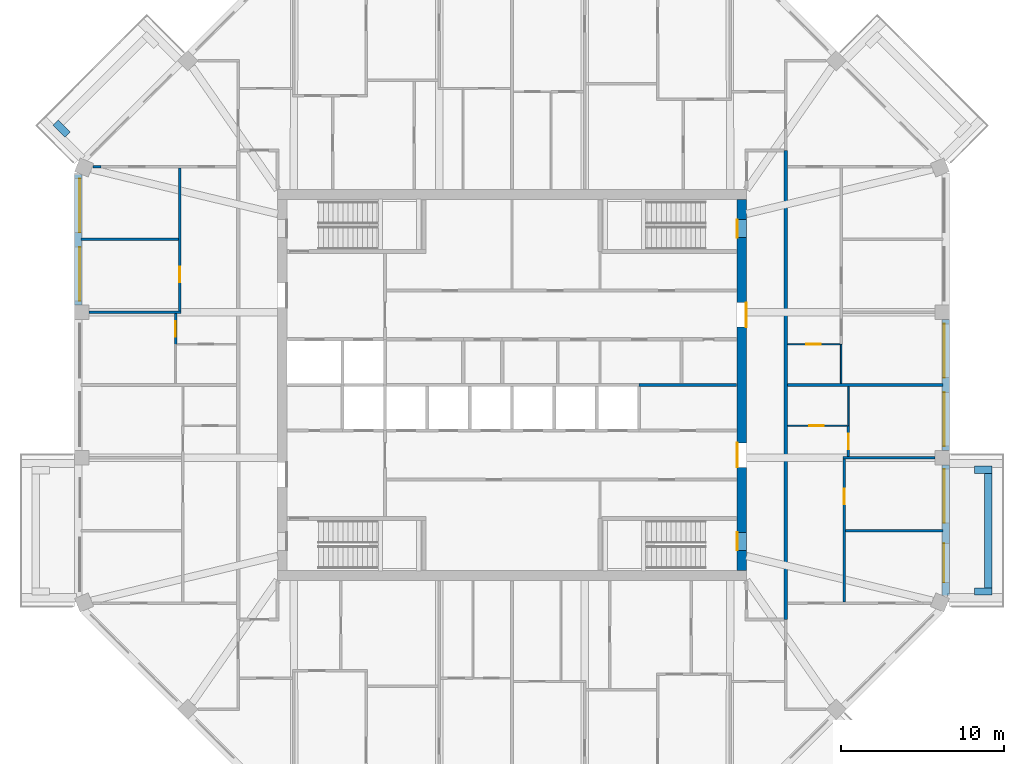
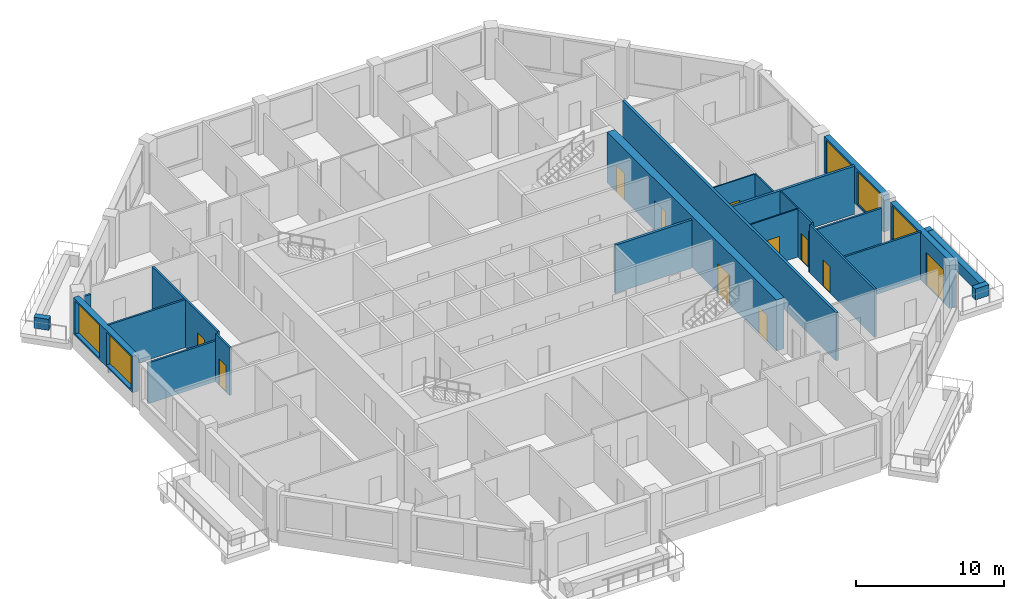
# One storey, part 6 of 11: 24 walls, 11 doors, 5 windows, 16 openings.
"""IFC4 building model written with IfcOpenShell, lengths in metres."""

from ifc_helpers import new_model, si_unit, direction, frame, frame_2d, origin, place, context, subcontext, project, spatial, rectangle, extrude, material, layer, layer_set, type_object, element, fill, save


model = new_model("IFC4")

# Units and contexts
model_context = context("Model", 3, precision=1e-05, world=origin(), true_north=direction((0.0, 1.0)))
body_context = subcontext(model_context, "Body", "Model", "MODEL_VIEW")
ifc_project = project(units=[si_unit("LENGTHUNIT", "METRE"), si_unit("AREAUNIT", "SQUARE_METRE"), si_unit("VOLUMEUNIT", "CUBIC_METRE"), si_unit("PLANEANGLEUNIT", "RADIAN"), si_unit("MASSUNIT", "GRAM", prefix="KILO")], contexts=[model_context])

# Site, building, storey
site_placement = place(None, origin())
site = spatial("IfcSite", under=ifc_project, at=site_placement, CompositionType="ELEMENT")
building_placement = place(site_placement, origin())
building = spatial("IfcBuilding", under=site, at=building_placement, Name="Msitu Wima Residences", CompositionType="ELEMENT")
storey_placement = place(building_placement, frame((0.0, 0.0, 226.5)))
storey = spatial("IfcBuildingStorey", under=building, at=storey_placement, Name="L52", CompositionType="ELEMENT", Elevation=226.5)

# Walls
ifc_material_1 = material(Name="Facing brick")
ifc_layer_1 = layer(ifc_material_1, 0.06494140625, Name="Facing brick")
ifc_material_2 = material(Name="Concrete C40/50", Category="concrete")
ifc_layer_2 = layer(ifc_material_2, 0.156005859375, Name="Concrete C40/50")
ifc_material_3 = material(Name="Waterproofing membrane")
ifc_layer_3 = layer(ifc_material_3, 0.00390625, Name="Waterproofing membrane")
ifc_material_4 = material(Name="Planting soil and planting")
ifc_layer_4 = layer(ifc_material_4, 0.22509765625, Name="Planting soil and planting")
ifc_layer_set_1 = layer_set([ifc_layer_1, ifc_layer_2, ifc_layer_3, ifc_layer_4], Name="Concrete C40/50")
wall_type_1 = type_object("IfcWallType", Name="Balcony planter PLANTER PL450", PredefinedType="USERDEFINED", material=ifc_layer_set_1)
wall_1_placement = place(storey_placement, frame((29.22509765625, -12.455810546875, 0.0), z_axis=(0.0, 0.0, 1.0), x_axis=(0.0, 1.0, 0.0)))
element("IfcWall", 1, at=wall_1_placement, inside=storey, type_object=wall_type_1, Name="Balcony planter E0 L52", ObjectType="PLANTER", PredefinedType="USERDEFINED", context=body_context, shape_type="SweptSolid", body=[
    extrude(rectangle(XDim=7.037109375, YDim=0.449951171875, at=frame_2d((3.5185546875, 0.0))), origin(), (0.0, 0.0, 1.0), 0.89990234375),
])
for number, where, z_axis, x_axis, name in (
    (2, (28.39990234375, -12.680908203125, 0.0), (0.0, 0.0, 1.0), (1.0, 0.0, 0.0), "Balcony planter E0 L52"),
    (3, (28.39990234375, -5.193603515625, 0.0), (0.0, 0.0, 1.0), (1.0, 0.0, 0.0), "Balcony planter E0 L52"),
    (4, (-27.26611328125, 15.3681640625, 0.0), (0.0, 0.0, 1.0), (-0.707223014731, 0.706990528533, 0.0), "Balcony planter NW1 L52"),
):
    element("IfcWall", number, at=place(storey_placement, frame(where, z_axis=z_axis, x_axis=x_axis)), inside=storey, type_object=wall_type_1, Name=name, ObjectType="PLANTER", PredefinedType="USERDEFINED", context=body_context, shape_type="SweptSolid", body=[
        extrude(rectangle(XDim=1.050048828125, YDim=0.449951171875, at=frame_2d((0.52490234375, 0.0))), origin(), (0.0, 0.0, 1.0), 0.89990234375),
    ])

# Wall, openings, door, window
ifc_material_5 = material(Name="Brick (red buff mix)", Category="masonry")
ifc_layer_5 = layer(ifc_material_5, 0.449951171875)
ifc_layer_set_2 = layer_set([ifc_layer_5], Name="Brick (red buff mix)")
wall_type_2 = type_object("IfcWallType", Name="Brick infill wall BW450", PredefinedType="SOLIDWALL", material=ifc_layer_set_2)
wall_2_placement = place(storey_placement, frame((26.625, -12.918701171875, 0.0), z_axis=(0.0, 0.0, 1.0), x_axis=(0.0, 1.0, 0.0)))
wall_2 = element("IfcWall", 5, at=wall_2_placement, inside=storey, type_object=wall_type_2, Name="Brick infill wall L52 E0", PredefinedType="SOLIDWALL", context=body_context, shape_type="SweptSolid", body=[
    extrude(rectangle(XDim=8.0, YDim=0.449951171875, at=frame_2d((4.0, 0.0))), origin(), (0.0, 0.0, 1.0), 3.89990234375),
])
opening_1_placement = place(wall_2_placement, frame((0.800048828125, 0.0, 0.0)))
opening_1 = element("IfcOpeningElement", 6, at=opening_1_placement, cuts=wall_2, Name="Opening D52-54.001", PredefinedType="OPENING", context=body_context, shape_type="SweptSolid", body=[
    extrude(rectangle(XDim=2.39990234375, YDim=2.699951171875, at=frame_2d((1.199951171875, 1.35009765625))), frame((0.0, 0.23486328125, 0.0), z_axis=(0.0, -1.0, 0.0), x_axis=(1.0, 0.0, 0.0)), (0.0, 0.0, 1.0), 0.469970703125),
])
opening_2_placement = place(wall_2_placement, frame((4.4501953125, 0.0, 1.050048828125)))
opening_2 = element("IfcOpeningElement", 7, at=opening_2_placement, cuts=wall_2, Name="Opening W52-54.001", PredefinedType="OPENING", context=body_context, shape_type="SweptSolid", body=[
    extrude(rectangle(XDim=3.300048828125, YDim=2.699951171875, at=frame_2d((1.64990234375, 1.35009765625))), frame((0.0, 0.23486328125, 0.0), z_axis=(0.0, -1.0, 0.0), x_axis=(1.0, 0.0, 0.0)), (0.0, 0.0, 1.0), 0.469970703125),
])
ifc_material_6 = material(Name="Anodised aluminium, bronze finish, clear low-emissivity double glazing", Category="aluminium")
door_type_1 = type_object("IfcDoorType", Name="Balcony door D2400x2700", OperationType="SLIDING_TO_LEFT", PredefinedType="DOOR", material=ifc_material_6)
door_1_placement = place(opening_1_placement, origin())
door_1 = element("IfcDoor", 8, at=door_1_placement, inside=storey, type_object=door_type_1, Name="Balcony door L52 E0", OperationType="SINGLE_SWING_LEFT", OverallHeight=2.699951171875, OverallWidth=2.39990234375, PredefinedType="DOOR", context=body_context, shape_type="SweptSolid", body=[
    extrude(rectangle(XDim=2.39990234375, YDim=2.699951171875, at=frame_2d((1.199951171875, 1.35009765625))), frame((0.0, 0.1298828125, 0.0), z_axis=(0.0, -1.0, 0.0), x_axis=(1.0, 0.0, 0.0)), (0.0, 0.0, 1.0), 0.050048828125),
])
fill(opening_1, door_1)
window_type = type_object("IfcWindowType", Name="Window W3300x2700", PartitioningType="DOUBLE_PANEL_VERTICAL", PredefinedType="WINDOW", material=ifc_material_6)
window_1_placement = place(opening_2_placement, origin())
window_1 = element("IfcWindow", 9, at=window_1_placement, inside=storey, type_object=window_type, Name="Window L52 E0.2", OverallHeight=2.699951171875, OverallWidth=3.300048828125, PartitioningType="SINGLE_PANEL", PredefinedType="WINDOW", context=body_context, shape_type="SweptSolid", body=[
    extrude(rectangle(XDim=3.300048828125, YDim=2.699951171875, at=frame_2d((1.64990234375, 1.35009765625))), frame((0.0, 0.135009765625, 0.0), z_axis=(0.0, -1.0, 0.0), x_axis=(1.0, 0.0, 0.0)), (0.0, 0.0, 1.0), 0.06005859375),
])
fill(opening_2, window_1)

# Wall, openings, windows
wall_3_placement = place(storey_placement, frame((26.625, -4.0185546875, 0.89990234375), z_axis=(0.0, 0.0, 1.0), x_axis=(0.0, 1.0, 0.0)))
wall_3 = element("IfcWall", 10, at=wall_3_placement, inside=storey, type_object=wall_type_2, Name="Brick infill wall L52 E1", PredefinedType="SOLIDWALL", context=body_context, shape_type="SweptSolid", body=[
    extrude(rectangle(XDim=8.037109375, YDim=0.449951171875, at=frame_2d((4.0185546875, 0.0))), origin(), (0.0, 0.0, 1.0), 3.0),
])
opening_3_placement = place(wall_3_placement, frame((0.2685546875, 0.0, 0.14990234375)))
opening_3 = element("IfcOpeningElement", 11, at=opening_3_placement, cuts=wall_3, Name="Opening W52-54.002", PredefinedType="OPENING", context=body_context, shape_type="SweptSolid", body=[
    extrude(rectangle(XDim=3.300048828125, YDim=2.699951171875, at=frame_2d((1.64990234375, 1.35009765625))), frame((0.0, 0.23486328125, 0.0), z_axis=(0.0, -1.0, 0.0), x_axis=(1.0, 0.0, 0.0)), (0.0, 0.0, 1.0), 0.469970703125),
])
opening_4_placement = place(wall_3_placement, frame((4.46875, 0.0, 0.14990234375)))
opening_4 = element("IfcOpeningElement", 12, at=opening_4_placement, cuts=wall_3, Name="Opening W52-54.003", PredefinedType="OPENING", context=body_context, shape_type="SweptSolid", body=[
    extrude(rectangle(XDim=3.300048828125, YDim=2.699951171875, at=frame_2d((1.64990234375, 1.35009765625))), frame((0.0, 0.23486328125, 0.0), z_axis=(0.0, -1.0, 0.0), x_axis=(1.0, 0.0, 0.0)), (0.0, 0.0, 1.0), 0.469970703125),
])
window_2_placement = place(opening_3_placement, origin())
window_2 = element("IfcWindow", 13, at=window_2_placement, inside=storey, type_object=window_type, Name="Window L52 E1.1", OverallHeight=2.699951171875, OverallWidth=3.300048828125, PartitioningType="SINGLE_PANEL", PredefinedType="WINDOW", context=body_context, shape_type="SweptSolid", body=[
    extrude(rectangle(XDim=3.300048828125, YDim=2.699951171875, at=frame_2d((1.64990234375, 1.35009765625))), frame((0.0, 0.135009765625, 0.0), z_axis=(0.0, -1.0, 0.0), x_axis=(1.0, 0.0, 0.0)), (0.0, 0.0, 1.0), 0.06005859375),
])
fill(opening_3, window_2)
window_3_placement = place(opening_4_placement, origin())
window_3 = element("IfcWindow", 14, at=window_3_placement, inside=storey, type_object=window_type, Name="Window L52 E1.2", OverallHeight=2.699951171875, OverallWidth=3.300048828125, PartitioningType="SINGLE_PANEL", PredefinedType="WINDOW", context=body_context, shape_type="SweptSolid", body=[
    extrude(rectangle(XDim=3.300048828125, YDim=2.699951171875, at=frame_2d((1.64990234375, 1.35009765625))), frame((0.0, 0.135009765625, 0.0), z_axis=(0.0, -1.0, 0.0), x_axis=(1.0, 0.0, 0.0)), (0.0, 0.0, 1.0), 0.06005859375),
])
fill(opening_4, window_3)

wall_4_placement = place(storey_placement, frame((-26.625, 12.918701171875, 0.89990234375), z_axis=(0.0, 0.0, 1.0), x_axis=(0.0, -1.0, 0.0)))
wall_4 = element("IfcWall", 15, at=wall_4_placement, inside=storey, type_object=wall_type_2, Name="Brick infill wall L52 W0", PredefinedType="SOLIDWALL", context=body_context, shape_type="SweptSolid", body=[
    extrude(rectangle(XDim=8.0, YDim=0.449951171875, at=frame_2d((4.0, 0.0))), origin(), (0.0, 0.0, 1.0), 3.0),
])
opening_5_placement = place(wall_4_placement, frame((0.25, 0.0, 0.14990234375)))
opening_5 = element("IfcOpeningElement", 16, at=opening_5_placement, cuts=wall_4, Name="Opening W52-54.029", PredefinedType="OPENING", context=body_context, shape_type="SweptSolid", body=[
    extrude(rectangle(XDim=3.300048828125, YDim=2.699951171875, at=frame_2d((1.64990234375, 1.35009765625))), frame((0.0, 0.23486328125, 0.0), z_axis=(0.0, -1.0, 0.0), x_axis=(1.0, 0.0, 0.0)), (0.0, 0.0, 1.0), 0.469970703125),
])
opening_6_placement = place(wall_4_placement, frame((4.4501953125, 0.0, 0.14990234375)))
opening_6 = element("IfcOpeningElement", 17, at=opening_6_placement, cuts=wall_4, Name="Opening W52-54.030", PredefinedType="OPENING", context=body_context, shape_type="SweptSolid", body=[
    extrude(rectangle(XDim=3.300048828125, YDim=2.699951171875, at=frame_2d((1.64990234375, 1.35009765625))), frame((0.0, 0.23486328125, 0.0), z_axis=(0.0, -1.0, 0.0), x_axis=(1.0, 0.0, 0.0)), (0.0, 0.0, 1.0), 0.469970703125),
])
window_4_placement = place(opening_5_placement, origin())
window_4 = element("IfcWindow", 18, at=window_4_placement, inside=storey, type_object=window_type, Name="Window L52 W0.1", OverallHeight=2.699951171875, OverallWidth=3.300048828125, PartitioningType="SINGLE_PANEL", PredefinedType="WINDOW", context=body_context, shape_type="SweptSolid", body=[
    extrude(rectangle(XDim=3.300048828125, YDim=2.699951171875, at=frame_2d((1.64990234375, 1.35009765625))), frame((0.0, 0.135009765625, 0.0), z_axis=(0.0, -1.0, 0.0), x_axis=(1.0, 0.0, 0.0)), (0.0, 0.0, 1.0), 0.06005859375),
])
fill(opening_5, window_4)
window_5_placement = place(opening_6_placement, origin())
window_5 = element("IfcWindow", 19, at=window_5_placement, inside=storey, type_object=window_type, Name="Window L52 W0.2", OverallHeight=2.699951171875, OverallWidth=3.300048828125, PartitioningType="SINGLE_PANEL", PredefinedType="WINDOW", context=body_context, shape_type="SweptSolid", body=[
    extrude(rectangle(XDim=3.300048828125, YDim=2.699951171875, at=frame_2d((1.64990234375, 1.35009765625))), frame((0.0, 0.135009765625, 0.0), z_axis=(0.0, -1.0, 0.0), x_axis=(1.0, 0.0, 0.0)), (0.0, 0.0, 1.0), 0.06005859375),
])
fill(opening_6, window_5)

# Wall, openings, doors
ifc_material_7 = material(Name="Concrete C50/60", Category="concrete")
ifc_layer_6 = layer(ifc_material_7, 0.60009765625)
ifc_layer_set_3 = layer_set([ifc_layer_6], Name="Concrete C50/60")
wall_type_3 = type_object("IfcWallType", Name="Core wall CW600 C50/60", PredefinedType="SHEAR", material=ifc_layer_set_3)
wall_5_placement = place(storey_placement, frame((14.10009765625, -11.39990234375, 0.0), z_axis=(0.0, 0.0, 1.0), x_axis=(0.0, 1.0, 0.0)))
wall_5 = element("IfcWall", 20, at=wall_5_placement, inside=storey, type_object=wall_type_3, Name="Core wall", PredefinedType="SHEAR", context=body_context, shape_type="SweptSolid", body=[
    extrude(rectangle(XDim=22.7998046875, YDim=0.60009765625, at=frame_2d((11.39990234375, 0.0))), origin(), (0.0, 0.0, 1.0), 4.199951171875),
])
opening_7_placement = place(wall_5_placement, frame((20.449951171875, 0.0, 0.0)))
opening_7 = element("IfcOpeningElement", 21, at=opening_7_placement, cuts=wall_5, Name="Opening D52-54.089", PredefinedType="OPENING", context=body_context, shape_type="SweptSolid", body=[
    extrude(rectangle(XDim=1.10009765625, YDim=2.199951171875, at=frame_2d((0.550048828125, 1.10009765625))), frame((0.0, 0.31005859375, 0.0), z_axis=(0.0, -1.0, 0.0), x_axis=(1.0, 0.0, 0.0)), (0.0, 0.0, 1.0), 0.6201171875),
])
opening_8_placement = place(wall_5_placement, frame((1.25, 0.0, 0.0)))
opening_8 = element("IfcOpeningElement", 22, at=opening_8_placement, cuts=wall_5, Name="Opening D52-54.090", PredefinedType="OPENING", context=body_context, shape_type="SweptSolid", body=[
    extrude(rectangle(XDim=1.10009765625, YDim=2.199951171875, at=frame_2d((0.550048828125, 1.10009765625))), frame((0.0, 0.31005859375, 0.0), z_axis=(0.0, -1.0, 0.0), x_axis=(1.0, 0.0, 0.0)), (0.0, 0.0, 1.0), 0.6201171875),
])
opening_9_placement = place(wall_5_placement, frame((14.949951171875, 0.0, 0.0)))
opening_9 = element("IfcOpeningElement", 23, at=opening_9_placement, cuts=wall_5, Name="Opening D52-54.076", PredefinedType="OPENING", context=body_context, shape_type="SweptSolid", body=[
    extrude(rectangle(XDim=1.5, YDim=2.39990234375, at=frame_2d((0.75, 1.199951171875))), frame((0.0, 0.31005859375, 0.0), z_axis=(0.0, -1.0, 0.0), x_axis=(1.0, 0.0, 0.0)), (0.0, 0.0, 1.0), 0.6201171875),
])
opening_10_placement = place(wall_5_placement, frame((6.35009765625, 0.0, 0.0)))
opening_10 = element("IfcOpeningElement", 24, at=opening_10_placement, cuts=wall_5, Name="Opening D52-54.077", PredefinedType="OPENING", context=body_context, shape_type="SweptSolid", body=[
    extrude(rectangle(XDim=1.5, YDim=2.39990234375, at=frame_2d((0.75, 1.199951171875))), frame((0.0, 0.31005859375, 0.0), z_axis=(0.0, -1.0, 0.0), x_axis=(1.0, 0.0, 0.0)), (0.0, 0.0, 1.0), 0.6201171875),
])
ifc_material_8 = material(Name="Steel framed glazed door, fire resisting", Category="steel")
door_type_2 = type_object("IfcDoorType", Name="Lobby door D07 1500x2400", OperationType="DOUBLE_DOOR_SINGLE_SWING", PredefinedType="DOOR", material=ifc_material_8)
door_2_placement = place(opening_9_placement, origin())
door_2 = element("IfcDoor", 25, at=door_2_placement, inside=storey, type_object=door_type_2, Name="Lobby door", OperationType="DOUBLE_DOOR_SINGLE_SWING", OverallHeight=2.39990234375, OverallWidth=1.5, PredefinedType="DOOR", context=body_context, shape_type="SweptSolid", body=[
    extrude(rectangle(XDim=1.5, YDim=2.39990234375, at=frame_2d((0.75, 1.199951171875))), frame((0.0, -0.2451171875, 0.0), z_axis=(0.0, -1.0, 0.0), x_axis=(1.0, 0.0, 0.0)), (0.0, 0.0, 1.0), 0.050048828125),
])
fill(opening_9, door_2)
door_3_placement = place(opening_10_placement, origin())
door_3 = element("IfcDoor", 26, at=door_3_placement, inside=storey, type_object=door_type_2, Name="Lobby door", OperationType="DOUBLE_DOOR_SINGLE_SWING", OverallHeight=2.39990234375, OverallWidth=1.5, PredefinedType="DOOR", context=body_context, shape_type="SweptSolid", body=[
    extrude(rectangle(XDim=1.5, YDim=2.39990234375, at=frame_2d((0.75, 1.199951171875))), frame((0.0, 0.294921875, 0.0), z_axis=(0.0, -1.0, 0.0), x_axis=(1.0, 0.0, 0.0)), (0.0, 0.0, 1.0), 0.050048828125),
])
fill(opening_10, door_3)
ifc_material_9 = material(Name="Steel door, fire resisting, panic bar", Category="steel")
door_type_3 = type_object("IfcDoorType", Name="Stair door D06 1100x2200", OperationType="SINGLE_SWING_LEFT", PredefinedType="DOOR", material=ifc_material_9)
door_4_placement = place(opening_7_placement, origin())
door_4 = element("IfcDoor", 27, at=door_4_placement, inside=storey, type_object=door_type_3, Name="Stair door", OperationType="SINGLE_SWING_LEFT", OverallHeight=2.199951171875, OverallWidth=1.10009765625, PredefinedType="DOOR", context=body_context, shape_type="SweptSolid", body=[
    extrude(rectangle(XDim=1.10009765625, YDim=2.199951171875, at=frame_2d((0.550048828125, 1.10009765625))), frame((0.0, 0.294921875, 0.0), z_axis=(0.0, -1.0, 0.0), x_axis=(1.0, 0.0, 0.0)), (0.0, 0.0, 1.0), 0.050048828125),
])
fill(opening_7, door_4)
door_5_placement = place(opening_8_placement, origin())
door_5 = element("IfcDoor", 28, at=door_5_placement, inside=storey, type_object=door_type_3, Name="Stair door", OperationType="SINGLE_SWING_RIGHT", OverallHeight=2.199951171875, OverallWidth=1.10009765625, PredefinedType="DOOR", context=body_context, shape_type="SweptSolid", body=[
    extrude(rectangle(XDim=1.10009765625, YDim=2.199951171875, at=frame_2d((0.550048828125, 1.10009765625))), frame((0.0, 0.294921875, 0.0), z_axis=(0.0, -1.0, 0.0), x_axis=(1.0, 0.0, 0.0)), (0.0, 0.0, 1.0), 0.050048828125),
])
fill(opening_8, door_5)

# Walls
ifc_material_10 = material(Name="Plaster")
ifc_layer_7 = layer(ifc_material_10, 0.011962890625, Name="Plaster")
ifc_material_11 = material(Name="Concrete blockwork", Category="masonry")
ifc_layer_8 = layer(ifc_material_11, 0.176025390625, Name="Concrete blockwork")
ifc_layer_9 = layer(ifc_material_10, 0.011962890625, Name="Plaster")
ifc_layer_set_4 = layer_set([ifc_layer_7, ifc_layer_8, ifc_layer_9], Name="Concrete blockwork")
wall_type_4 = type_object("IfcWallType", Name="Corridor wall FW200", PredefinedType="PARTITIONING", material=ifc_layer_set_4)
wall_6_placement = place(storey_placement, frame((16.800048828125, -14.39990234375, 0.0), z_axis=(0.0, 0.0, 1.0), x_axis=(0.0, 1.0, 0.0)))
element("IfcWall", 29, at=wall_6_placement, inside=storey, type_object=wall_type_4, Name="Corridor wall", PredefinedType="PARTITIONING", context=body_context, shape_type="SweptSolid", body=[
    extrude(rectangle(XDim=28.7998046875, YDim=0.199951171875, at=frame_2d((14.39990234375, 0.0))), origin(), (0.0, 0.0, 1.0), 3.949951171875),
])
ifc_layer_10 = layer(ifc_material_10, 0.011962890625, Name="Plaster")
ifc_layer_11 = layer(ifc_material_11, 0.1259765625, Name="Concrete blockwork")
ifc_layer_12 = layer(ifc_material_10, 0.011962890625, Name="Plaster")
ifc_layer_set_5 = layer_set([ifc_layer_10, ifc_layer_11, ifc_layer_12], Name="Concrete blockwork")
wall_type_5 = type_object("IfcWallType", Name="Partition PW150", PredefinedType="PARTITIONING", material=ifc_layer_set_5)
wall_7_placement = place(storey_placement, frame((-25.949951171875, 4.46875, 0.0), z_axis=(0.0, 0.0, 1.0), x_axis=(1.0, 0.0, 0.0)))
element("IfcWall", 30, at=wall_7_placement, inside=storey, type_object=wall_type_5, Name="Partition", PredefinedType="PARTITIONING", context=body_context, shape_type="SweptSolid", body=[
    extrude(rectangle(XDim=5.625, YDim=0.14990234375, at=frame_2d((2.8125, 0.0))), origin(), (0.0, 0.0, 1.0), 3.35009765625),
])
wall_8_placement = place(storey_placement, frame((-26.455078125, 8.937255859375, 0.0), z_axis=(0.0, 0.0, 1.0), x_axis=(1.0, 0.0, 0.0)))
element("IfcWall", 31, at=wall_8_placement, inside=storey, type_object=wall_type_5, Name="Partition", PredefinedType="PARTITIONING", context=body_context, shape_type="SweptSolid", body=[
    extrude(rectangle(XDim=5.97998046875, YDim=0.14990234375, at=frame_2d((2.989990234375, 0.0))), origin(), (0.0, 0.0, 1.0), 3.949951171875),
])
wall_9_placement = place(storey_placement, frame((-25.731201171875, 13.406005859375, 0.0), z_axis=(0.0, 0.0, 1.0), x_axis=(1.0, 0.0, 0.0)))
element("IfcWall", 32, at=wall_9_placement, inside=storey, type_object=wall_type_5, Name="Partition", PredefinedType="PARTITIONING", context=body_context, shape_type="SweptSolid", body=[
    extrude(rectangle(XDim=0.507080078125, YDim=0.14990234375, at=frame_2d((0.25341796875, 0.0))), origin(), (0.0, 0.0, 1.0), 3.35009765625),
])

# Wall, opening, door
wall_10_placement = place(storey_placement, frame((-20.64990234375, 2.5, 0.0), z_axis=(0.0, 0.0, 1.0), x_axis=(0.0, 1.0, 0.0)))
wall_10 = element("IfcWall", 33, at=wall_10_placement, inside=storey, type_object=wall_type_5, Name="Partition", PredefinedType="PARTITIONING", context=body_context, shape_type="SweptSolid", body=[
    extrude(rectangle(XDim=1.8935546875, YDim=0.14990234375, at=frame_2d((0.94677734375, 0.0))), origin(), (0.0, 0.0, 1.0), 3.949951171875),
])
opening_11_placement = place(wall_10_placement, frame((0.449951171875, 0.0, 0.0)))
opening_11 = element("IfcOpeningElement", 34, at=opening_11_placement, cuts=wall_10, Name="Opening D52-54.035", PredefinedType="OPENING", context=body_context, shape_type="SweptSolid", body=[
    extrude(rectangle(XDim=0.949951171875, YDim=2.199951171875, at=frame_2d((0.47509765625, 1.10009765625))), frame((0.0, 0.0849609375, 0.0), z_axis=(0.0, -1.0, 0.0), x_axis=(1.0, 0.0, 0.0)), (0.0, 0.0, 1.0), 0.169921875),
])
ifc_material_12 = material(Name="Timber flush door", Category="wood")
door_type_4 = type_object("IfcDoorType", Name="Room door D12 950x2200", OperationType="SINGLE_SWING_LEFT", PredefinedType="DOOR", material=ifc_material_12)
door_6_placement = place(opening_11_placement, origin())
door_6 = element("IfcDoor", 35, at=door_6_placement, inside=storey, type_object=door_type_4, Name="Room door", OperationType="SINGLE_SWING_RIGHT", OverallHeight=2.199951171875, OverallWidth=0.949951171875, PredefinedType="DOOR", context=body_context, shape_type="SweptSolid", body=[
    extrude(rectangle(XDim=0.949951171875, YDim=2.199951171875, at=frame_2d((0.47509765625, 1.10009765625))), frame((0.0, 0.02490234375, 0.0), z_axis=(0.0, -1.0, 0.0), x_axis=(1.0, 0.0, 0.0)), (0.0, 0.0, 1.0), 0.050048828125),
])
fill(opening_11, door_6)

wall_11_placement = place(storey_placement, frame((-20.39990234375, 4.543701171875, 0.0), z_axis=(0.0, 0.0, 1.0), x_axis=(0.0, 1.0, 0.0)))
wall_11 = element("IfcWall", 36, at=wall_11_placement, inside=storey, type_object=wall_type_5, Name="Partition", PredefinedType="PARTITIONING", context=body_context, shape_type="SweptSolid", body=[
    extrude(rectangle(XDim=8.787109375, YDim=0.14990234375, at=frame_2d((4.3935546875, 0.0))), origin(), (0.0, 0.0, 1.0), 3.949951171875),
])
opening_12_placement = place(wall_11_placement, frame((1.75, 0.0, 0.0)))
opening_12 = element("IfcOpeningElement", 37, at=opening_12_placement, cuts=wall_11, Name="Opening D52-54.036", PredefinedType="OPENING", context=body_context, shape_type="SweptSolid", body=[
    extrude(rectangle(XDim=0.949951171875, YDim=2.199951171875, at=frame_2d((0.47509765625, 1.10009765625))), frame((0.0, 0.0849609375, 0.0), z_axis=(0.0, -1.0, 0.0), x_axis=(1.0, 0.0, 0.0)), (0.0, 0.0, 1.0), 0.169921875),
])
door_7_placement = place(opening_12_placement, origin())
door_7 = element("IfcDoor", 38, at=door_7_placement, inside=storey, type_object=door_type_4, Name="Room door", OperationType="SINGLE_SWING_RIGHT", OverallHeight=2.199951171875, OverallWidth=0.949951171875, PredefinedType="DOOR", context=body_context, shape_type="SweptSolid", body=[
    extrude(rectangle(XDim=0.949951171875, YDim=2.199951171875, at=frame_2d((0.47509765625, 1.10009765625))), frame((0.0, 0.02490234375, 0.0), z_axis=(0.0, -1.0, 0.0), x_axis=(1.0, 0.0, 0.0)), (0.0, 0.0, 1.0), 0.050048828125),
])
fill(opening_12, door_7)

wall_12_placement = place(storey_placement, frame((20.39990234375, -13.330810546875, 0.0), z_axis=(0.0, 0.0, 1.0), x_axis=(0.0, 1.0, 0.0)))
wall_12 = element("IfcWall", 39, at=wall_12_placement, inside=storey, type_object=wall_type_5, Name="Partition", PredefinedType="PARTITIONING", context=body_context, shape_type="SweptSolid", body=[
    extrude(rectangle(XDim=8.787109375, YDim=0.14990234375, at=frame_2d((4.3935546875, 0.0))), origin(), (0.0, 0.0, 1.0), 3.949951171875),
])
opening_13_placement = place(wall_12_placement, frame((6.0, 0.0, 0.0)))
opening_13 = element("IfcOpeningElement", 40, at=opening_13_placement, cuts=wall_12, Name="Opening D52-54.065", PredefinedType="OPENING", context=body_context, shape_type="SweptSolid", body=[
    extrude(rectangle(XDim=0.949951171875, YDim=2.199951171875, at=frame_2d((0.47509765625, 1.10009765625))), frame((0.0, 0.0849609375, 0.0), z_axis=(0.0, -1.0, 0.0), x_axis=(1.0, 0.0, 0.0)), (0.0, 0.0, 1.0), 0.169921875),
])
door_8_placement = place(opening_13_placement, origin())
door_8 = element("IfcDoor", 41, at=door_8_placement, inside=storey, type_object=door_type_4, Name="Room door", OperationType="SINGLE_SWING_RIGHT", OverallHeight=2.199951171875, OverallWidth=0.949951171875, PredefinedType="DOOR", context=body_context, shape_type="SweptSolid", body=[
    extrude(rectangle(XDim=0.949951171875, YDim=2.199951171875, at=frame_2d((0.47509765625, 1.10009765625))), frame((0.0, 0.02490234375, 0.0), z_axis=(0.0, -1.0, 0.0), x_axis=(1.0, 0.0, 0.0)), (0.0, 0.0, 1.0), 0.050048828125),
])
fill(opening_13, door_8)

# Walls
wall_13_placement = place(storey_placement, frame((20.47509765625, -8.937255859375, 0.0), z_axis=(0.0, 0.0, 1.0), x_axis=(1.0, 0.0, 0.0)))
element("IfcWall", 42, at=wall_13_placement, inside=storey, type_object=wall_type_5, Name="Partition", PredefinedType="PARTITIONING", context=body_context, shape_type="SweptSolid", body=[
    extrude(rectangle(XDim=5.97998046875, YDim=0.14990234375, at=frame_2d((2.989990234375, 0.0))), origin(), (0.0, 0.0, 1.0), 3.949951171875),
])
wall_14_placement = place(storey_placement, frame((20.324951171875, -4.46875, 0.0), z_axis=(0.0, 0.0, 1.0), x_axis=(1.0, 0.0, 0.0)))
element("IfcWall", 43, at=wall_14_placement, inside=storey, type_object=wall_type_5, Name="Partition", PredefinedType="PARTITIONING", context=body_context, shape_type="SweptSolid", body=[
    extrude(rectangle(XDim=5.625, YDim=0.14990234375, at=frame_2d((2.8125, 0.0))), origin(), (0.0, 0.0, 1.0), 3.35009765625),
])

# Wall, opening, door
wall_15_placement = place(storey_placement, frame((20.64990234375, -4.3935546875, 0.0), z_axis=(0.0, 0.0, 1.0), x_axis=(0.0, 1.0, 0.0)))
wall_15 = element("IfcWall", 44, at=wall_15_placement, inside=storey, type_object=wall_type_5, Name="Partition", PredefinedType="PARTITIONING", context=body_context, shape_type="SweptSolid", body=[
    extrude(rectangle(XDim=1.8935546875, YDim=0.14990234375, at=frame_2d((0.94677734375, 0.0))), origin(), (0.0, 0.0, 1.0), 3.949951171875),
])
opening_14_placement = place(wall_15_placement, frame((0.449951171875, 0.0, 0.0)))
opening_14 = element("IfcOpeningElement", 45, at=opening_14_placement, cuts=wall_15, Name="Opening D52-54.064", PredefinedType="OPENING", context=body_context, shape_type="SweptSolid", body=[
    extrude(rectangle(XDim=0.949951171875, YDim=2.199951171875, at=frame_2d((0.47509765625, 1.10009765625))), frame((0.0, 0.0849609375, 0.0), z_axis=(0.0, -1.0, 0.0), x_axis=(1.0, 0.0, 0.0)), (0.0, 0.0, 1.0), 0.169921875),
])
door_9_placement = place(opening_14_placement, origin())
door_9 = element("IfcDoor", 46, at=door_9_placement, inside=storey, type_object=door_type_4, Name="Room door", OperationType="SINGLE_SWING_RIGHT", OverallHeight=2.199951171875, OverallWidth=0.949951171875, PredefinedType="DOOR", context=body_context, shape_type="SweptSolid", body=[
    extrude(rectangle(XDim=0.949951171875, YDim=2.199951171875, at=frame_2d((0.47509765625, 1.10009765625))), frame((0.0, 0.02490234375, 0.0), z_axis=(0.0, -1.0, 0.0), x_axis=(1.0, 0.0, 0.0)), (0.0, 0.0, 1.0), 0.050048828125),
])
fill(opening_14, door_9)

# Walls
ifc_layer_13 = layer(ifc_material_10, 0.011962890625, Name="Plaster")
ifc_material_13 = material(Name="Dense concrete blockwork", Category="masonry")
ifc_layer_14 = layer(ifc_material_13, 0.176025390625, Name="Dense concrete blockwork")
ifc_layer_15 = layer(ifc_material_10, 0.011962890625, Name="Plaster")
ifc_layer_set_6 = layer_set([ifc_layer_13, ifc_layer_14, ifc_layer_15], Name="Dense concrete blockwork")
wall_type_6 = type_object("IfcWallType", Name="Party wall PW200", PredefinedType="PARTITIONING", material=ifc_layer_set_6)
wall_16_placement = place(storey_placement, frame((16.89990234375, 0.0, 0.0), z_axis=(0.0, 0.0, 1.0), x_axis=(1.0, 0.0, 0.0)))
element("IfcWall", 47, at=wall_16_placement, inside=storey, type_object=wall_type_6, Name="Party wall", PredefinedType="PARTITIONING", context=body_context, shape_type="SweptSolid", body=[
    extrude(rectangle(XDim=9.55517578125, YDim=0.199951171875, at=frame_2d((4.777587890625, 0.0))), origin(), (0.0, 0.0, 1.0), 3.949951171875),
])
ifc_layer_16 = layer(ifc_material_10, 0.011962890625, Name="Plaster")
ifc_material_14 = material(Name="Reinforced concrete blockwork", Category="masonry")
ifc_layer_17 = layer(ifc_material_14, 0.176025390625, Name="Reinforced concrete blockwork")
ifc_layer_18 = layer(ifc_material_10, 0.011962890625, Name="Plaster")
ifc_layer_set_7 = layer_set([ifc_layer_16, ifc_layer_17, ifc_layer_18], Name="Reinforced concrete blockwork")
wall_type_7 = type_object("IfcWallType", Name="Plant and riser wall PL200", PredefinedType="PARTITIONING", material=ifc_layer_set_7)
wall_17_placement = place(storey_placement, frame((7.800048828125, 0.0, 0.0), z_axis=(0.0, 0.0, 1.0), x_axis=(1.0, 0.0, 0.0)))
element("IfcWall", 48, at=wall_17_placement, inside=storey, type_object=wall_type_7, Name="Plant and riser wall", PredefinedType="PARTITIONING", context=body_context, shape_type="SweptSolid", body=[
    extrude(rectangle(XDim=5.969970703125, YDim=0.199951171875, at=frame_2d((2.98486328125, 0.0))), origin(), (0.0, 0.0, 1.0), 3.949951171875),
])

# Wall, opening, door
ifc_material_15 = material(Name="Ceramic tiles")
ifc_layer_19 = layer(ifc_material_15, 0.008056640625, Name="Ceramic tiles")
ifc_material_16 = material(Name="Moisture-resistant board")
ifc_layer_20 = layer(ifc_material_16, 0.012451171875, Name="Moisture-resistant board")
ifc_material_17 = material(Name="Light-gauge stud framing with mineral wool")
ifc_layer_21 = layer(ifc_material_17, 0.06689453125, Name="Light-gauge stud framing with mineral wool")
ifc_layer_22 = layer(ifc_material_16, 0.012451171875, Name="Moisture-resistant board")
ifc_layer_set_8 = layer_set([ifc_layer_19, ifc_layer_20, ifc_layer_21, ifc_layer_22], Name="Light-gauge stud framing with mineral wool")
wall_type_8 = type_object("IfcWallType", Name="Wet wall PW100", PredefinedType="PARTITIONING", material=ifc_layer_set_8)
wall_18_placement = place(storey_placement, frame((16.89990234375, -2.5, 0.0), z_axis=(0.0, 0.0, 1.0), x_axis=(1.0, 0.0, 0.0)))
wall_18 = element("IfcWall", 49, at=wall_18_placement, inside=storey, type_object=wall_type_8, Name="Wet wall", PredefinedType="PARTITIONING", context=body_context, shape_type="SweptSolid", body=[
    extrude(rectangle(XDim=3.675048828125, YDim=0.10009765625, at=frame_2d((1.83740234375, 0.0))), origin(), (0.0, 0.0, 1.0), 3.949951171875),
])
opening_15_placement = place(wall_18_placement, frame((1.35009765625, 0.0, 0.0)))
opening_15 = element("IfcOpeningElement", 50, at=opening_15_placement, cuts=wall_18, Name="Opening D52-54.055", PredefinedType="OPENING", context=body_context, shape_type="SweptSolid", body=[
    extrude(rectangle(XDim=0.89990234375, YDim=2.199951171875, at=frame_2d((0.449951171875, 1.10009765625))), frame((0.0, 0.06005859375, 0.0), z_axis=(0.0, -1.0, 0.0), x_axis=(1.0, 0.0, 0.0)), (0.0, 0.0, 1.0), 0.1201171875),
])
ifc_material_18 = material(Name="Timber flush door, moisture resistant", Category="wood")
door_type_5 = type_object("IfcDoorType", Name="Bathroom door D03 900x2200", OperationType="SINGLE_SWING_LEFT", PredefinedType="DOOR", material=ifc_material_18)
door_10_placement = place(opening_15_placement, origin())
door_10 = element("IfcDoor", 51, at=door_10_placement, inside=storey, type_object=door_type_5, Name="Bathroom door", OperationType="SINGLE_SWING_LEFT", OverallHeight=2.199951171875, OverallWidth=0.89990234375, PredefinedType="DOOR", context=body_context, shape_type="SweptSolid", body=[
    extrude(rectangle(XDim=0.89990234375, YDim=2.199951171875, at=frame_2d((0.449951171875, 1.10009765625))), frame((0.0, 0.02490234375, 0.0), z_axis=(0.0, -1.0, 0.0), x_axis=(1.0, 0.0, 0.0)), (0.0, 0.0, 1.0), 0.050048828125),
])
fill(opening_15, door_10)

wall_19_placement = place(storey_placement, frame((16.89990234375, 2.5, 0.0), z_axis=(0.0, 0.0, 1.0), x_axis=(1.0, 0.0, 0.0)))
wall_19 = element("IfcWall", 52, at=wall_19_placement, inside=storey, type_object=wall_type_8, Name="Wet wall", PredefinedType="PARTITIONING", context=body_context, shape_type="SweptSolid", body=[
    extrude(rectangle(XDim=3.22509765625, YDim=0.10009765625, at=frame_2d((1.612548828125, 0.0))), origin(), (0.0, 0.0, 1.0), 3.949951171875),
])
opening_16_placement = place(wall_19_placement, frame((1.14990234375, 0.0, 0.0)))
opening_16 = element("IfcOpeningElement", 53, at=opening_16_placement, cuts=wall_19, Name="Opening D52-54.011", PredefinedType="OPENING", context=body_context, shape_type="SweptSolid", body=[
    extrude(rectangle(XDim=0.89990234375, YDim=2.199951171875, at=frame_2d((0.449951171875, 1.10009765625))), frame((0.0, 0.06005859375, 0.0), z_axis=(0.0, -1.0, 0.0), x_axis=(1.0, 0.0, 0.0)), (0.0, 0.0, 1.0), 0.1201171875),
])
door_11_placement = place(opening_16_placement, origin())
door_11 = element("IfcDoor", 54, at=door_11_placement, inside=storey, type_object=door_type_5, Name="Bathroom door", OperationType="SINGLE_SWING_RIGHT", OverallHeight=2.199951171875, OverallWidth=0.89990234375, PredefinedType="DOOR", context=body_context, shape_type="SweptSolid", body=[
    extrude(rectangle(XDim=0.89990234375, YDim=2.199951171875, at=frame_2d((0.449951171875, 1.10009765625))), frame((0.0, 0.02490234375, 0.0), z_axis=(0.0, -1.0, 0.0), x_axis=(1.0, 0.0, 0.0)), (0.0, 0.0, 1.0), 0.050048828125),
])
fill(opening_16, door_11)

# Walls
for number, where, z_axis, x_axis, name in (
    (55, (20.199951171875, 0.10009765625, 0.0), (0.0, 0.0, 1.0), (0.0, 1.0, 0.0), "Wet wall"),
    (56, (20.64990234375, -2.5, 0.0), (0.0, 0.0, 1.0), (0.0, 1.0, 0.0), "Wet wall"),
):
    element("IfcWall", number, at=place(storey_placement, frame(where, z_axis=z_axis, x_axis=x_axis)), inside=storey, type_object=wall_type_8, Name=name, PredefinedType="PARTITIONING", context=body_context, shape_type="SweptSolid", body=[
        extrude(rectangle(XDim=2.39990234375, YDim=0.10009765625, at=frame_2d((1.199951171875, 0.0))), origin(), (0.0, 0.0, 1.0), 3.949951171875),
    ])

save(model, "model.ifc")
